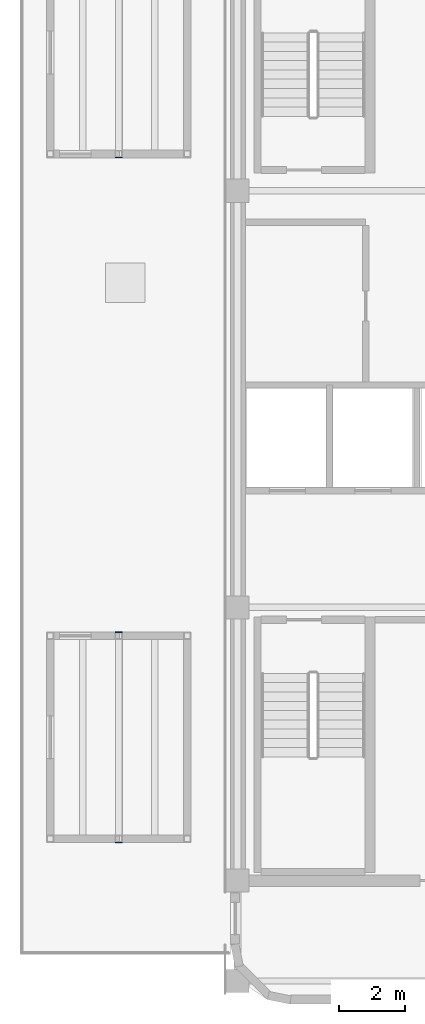
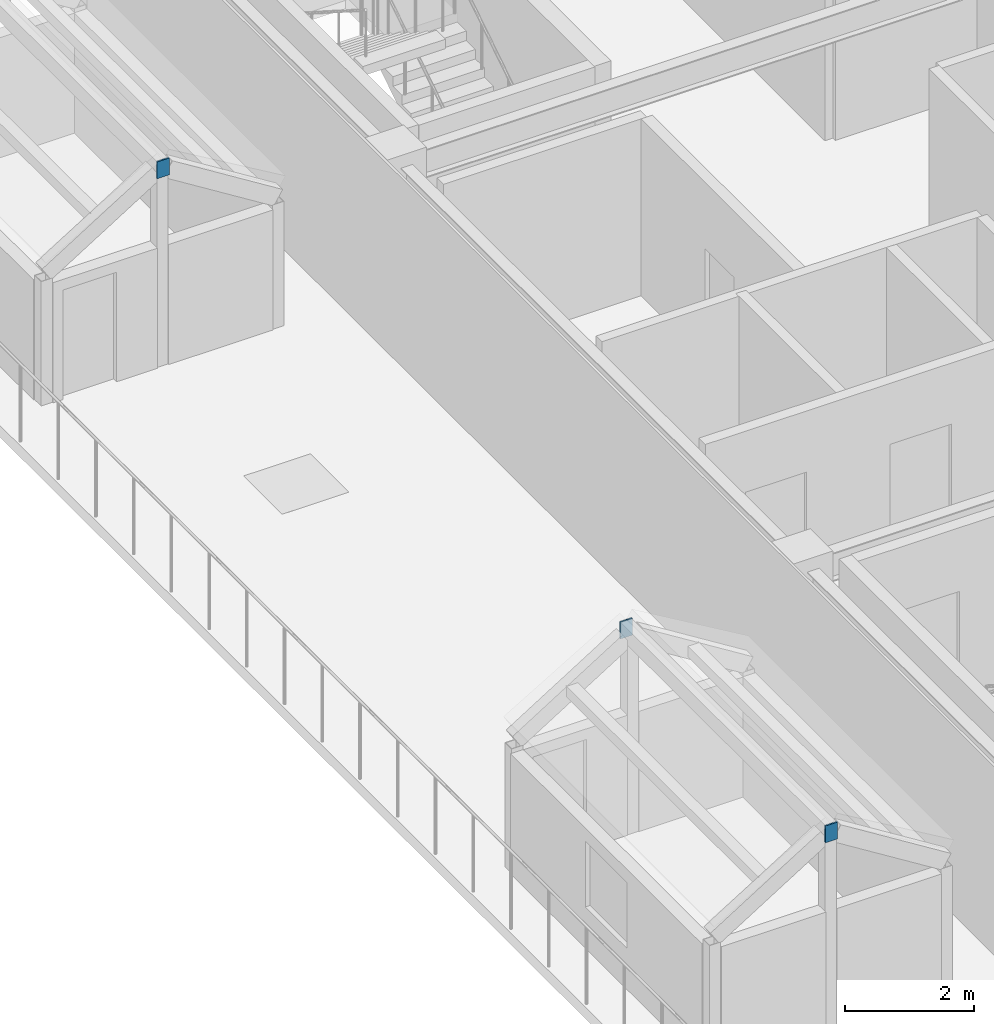
# One storey, part 6 of 13: 3 plates.
"""IFC4 building model written with IfcOpenShell, lengths in metres."""

from ifc_helpers import new_model, si_unit, direction, frame, origin, origin_2d, place, context, subcontext, project, spatial, rectangle, extrude, material, layer, layer_set, type_object, element, save


model = new_model("IFC4")

# Units and contexts
model_context = context("Model", 3, precision=1e-05, world=origin(), true_north=direction((0.0, 1.0)))
body_context = subcontext(model_context, "Body", "Model", "MODEL_VIEW")
ifc_project = project(units=[si_unit("LENGTHUNIT", "METRE"), si_unit("AREAUNIT", "SQUARE_METRE"), si_unit("VOLUMEUNIT", "CUBIC_METRE"), si_unit("PLANEANGLEUNIT", "RADIAN"), si_unit("MASSUNIT", "GRAM", prefix="KILO")], contexts=[model_context])

# Site, building, storey
site_placement = place(None, origin())
site = spatial("IfcSite", under=ifc_project, at=site_placement, CompositionType="ELEMENT")
building_placement = place(site_placement, origin())
building = spatial("IfcBuilding", under=site, at=building_placement, Name="Ochreholt Gables", CompositionType="ELEMENT")
storey_placement = place(building_placement, frame((0.0, 0.0, 205.800048828125)))
storey = spatial("IfcBuildingStorey", under=building, at=storey_placement, Name="L53", CompositionType="ELEMENT", Elevation=205.800048828125)

# Plates
ifc_material = material(Name="Steel CSA G40.21 350W", Category="steel")
ifc_layer = layer(ifc_material, 0.02490234375, Name="Steel CSA G40.21 350W")
ifc_layer_set = layer_set([ifc_layer], Name="Steel CSA G40.21 350W")
plate_type = type_object("IfcPlateType", Name="PL-ECP", PredefinedType="USERDEFINED", material=ifc_layer_set)
for number, where, z_axis, x_axis, name in (
    (1, (20.60009765625, 10.407958984375, 3.60400390625), (0.0, 0.0, 1.0), (1.0, 0.0, 0.0), "L53 Gable Ridge Welded End Cap Plate GB-53W1-S"),
    (2, (20.60009765625, 16.7919921875, 3.60400390625), (0.0, 0.0, 1.0), (1.0, 0.0, 0.0), "L53 Gable Ridge Welded End Cap Plate GB-53W1-N"),
    (3, (20.60009765625, 31.2080078125, 3.60400390625), (0.0, 0.0, 1.0), (1.0, 0.0, 0.0), "L53 Gable Ridge Welded End Cap Plate GB-53W2-S"),
):
    element("IfcPlate", number, at=place(storey_placement, frame(where, z_axis=z_axis, x_axis=x_axis)), inside=storey, type_object=plate_type, Name=name, ObjectType="END CAP PLATE", PredefinedType="USERDEFINED", context=body_context, shape_type="SweptSolid", body=[
        extrude(rectangle(XDim=0.219970703125, YDim=0.02490234375, at=origin_2d()), origin(), (0.0, 0.0, 1.0), 0.320068359375),
    ])

save(model, "model.ifc")
